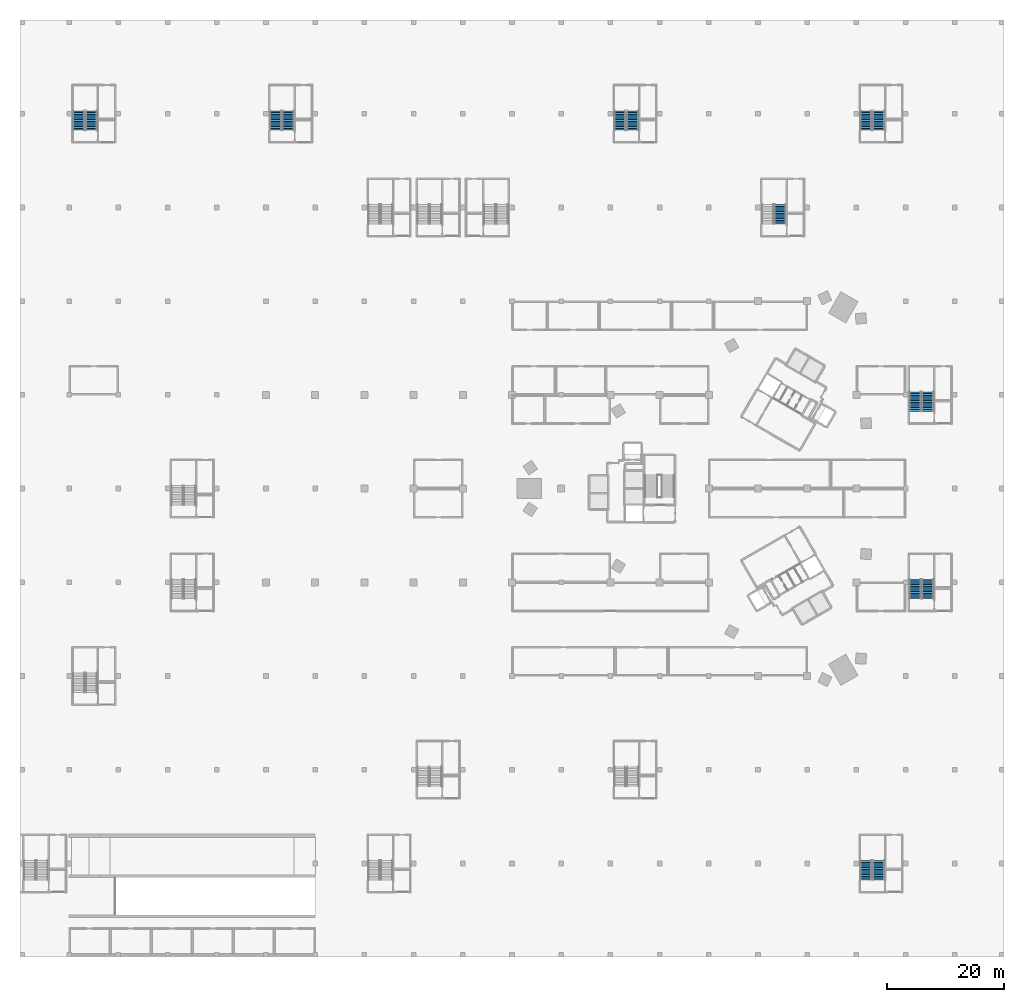
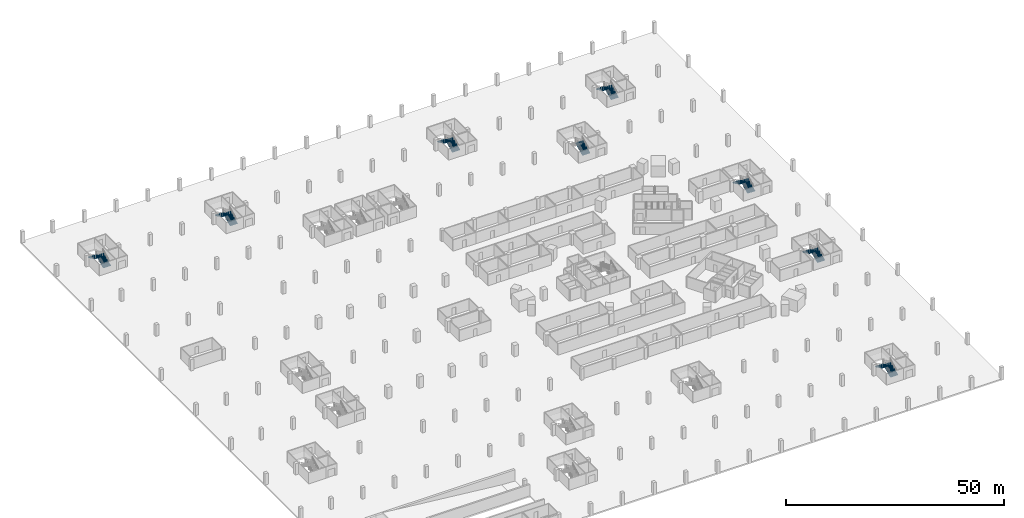
# One storey, part 18 of 37: 15 stair flights, 8 elements without a shape of their own.
"""IFC4 building model written with IfcOpenShell, lengths in metres."""

from ifc_helpers import new_model, si_unit, direction, frame, origin, place, context, subcontext, project, spatial, polyline, outline, extrude, material, layer, layer_set, type_object, element, aggregate, save


model = new_model("IFC4")

# Units and contexts
model_context = context("Model", 3, precision=1e-05, world=origin(), true_north=direction((0.0, 1.0)))
body_context = subcontext(model_context, "Body", "Model", "MODEL_VIEW")
ifc_project = project(units=[si_unit("LENGTHUNIT", "METRE"), si_unit("AREAUNIT", "SQUARE_METRE"), si_unit("VOLUMEUNIT", "CUBIC_METRE"), si_unit("PLANEANGLEUNIT", "RADIAN"), si_unit("MASSUNIT", "GRAM", prefix="KILO")], contexts=[model_context])

# Site, building, storey
site_placement = place(None, origin())
site = spatial("IfcSite", under=ifc_project, at=site_placement, CompositionType="ELEMENT")
building_placement = place(site_placement, origin())
building = spatial("IfcBuilding", under=site, at=building_placement, Name="Tamra Quay Hotel Tower", CompositionType="ELEMENT")
storey_placement = place(building_placement, frame((0.0, 0.0, -3.60009765625)))
storey = spatial("IfcBuildingStorey", under=building, at=storey_placement, Name="B1", CompositionType="ELEMENT", Elevation=-3.60009765625)

# Stair, stair flights
ifc_material_1 = material(Name="Basement exit stair")
stair_type = type_object("IfcStairType", Name="Basement exit stair", PredefinedType="HALF_TURN_STAIR", material=ifc_material_1)
stair_1_placement = place(storey_placement, origin())
stair_1 = element("IfcStair", 1, at=stair_1_placement, inside=storey, type_object=stair_type, Name="B1 Basement Exit Stair BS2", PredefinedType="HALF_TURN_STAIR")
ifc_material_2 = material(Name="Concrete M60", Category="concrete")
ifc_layer = layer(ifc_material_2, 0.14990234375)
ifc_layer_set = layer_set([ifc_layer], Name="Concrete M60 basement stair flight 150")
stair_flight_type = type_object("IfcStairFlightType", Name="Concrete M60 basement stair flight 150", PredefinedType="STRAIGHT", material=ifc_layer_set)
stair_flight_1_placement = place(storey_placement, frame((-110.5, 61.199951171875, 0.0), z_axis=(0.0, 0.0, 1.0), x_axis=(0.0, 1.0, 0.0)))
stair_flight_1 = element("IfcStairFlight", 2, at=stair_flight_1_placement, type_object=stair_flight_type, Name="BS2 flight 1", NumberOfRisers=12, NumberOfTreads=11, PredefinedType="STRAIGHT", RiserHeight=0.15, TreadLength=0.3, context=body_context, shape_type="SweptSolid", body=[
    extrude(outline(polyline([(0.0, 0.0), (0.0, 0.14990234375), (0.300048828125, 0.14990234375), (0.300048828125, 0.300048828125), (0.60009765625, 0.300048828125), (0.60009765625, 0.449951171875), (0.89990234375, 0.449951171875), (0.89990234375, 0.60009765625), (1.199951171875, 0.60009765625), (1.199951171875, 0.75), (1.5, 0.75), (1.5, 0.89990234375), (1.800048828125, 0.89990234375), (1.800048828125, 1.050048828125), (2.10009765625, 1.050048828125), (2.10009765625, 1.199951171875), (2.39990234375, 1.199951171875), (2.39990234375, 1.35009765625), (2.699951171875, 1.35009765625), (2.699951171875, 1.5), (3.0, 1.5), (3.0, 1.64990234375), (3.300048828125, 1.64990234375), (3.300048828125, 1.800048828125), (3.300048828125, 1.482421875), (0.335205078125, 0.0), (0.0, 0.0)])), frame((0.0, 1.0, 0.0), z_axis=(0.0, -1.0, 0.0), x_axis=(1.0, 0.0, 0.0)), (0.0, 0.0, 1.0), 2.0),
])
stair_flight_2_placement = place(storey_placement, frame((-112.64990234375, 64.5, 1.800048828125), z_axis=(0.0, 0.0, 1.0), x_axis=(0.0, -1.0, 0.0)))
stair_flight_2 = element("IfcStairFlight", 3, at=stair_flight_2_placement, type_object=stair_flight_type, Name="BS2 flight 2", NumberOfRisers=12, NumberOfTreads=11, PredefinedType="STRAIGHT", RiserHeight=0.15, TreadLength=0.3, context=body_context, shape_type="SweptSolid", body=[
    extrude(outline(polyline([(0.0, 0.0), (0.0, 0.14990234375), (0.300048828125, 0.14990234375), (0.300048828125, 0.300048828125), (0.60009765625, 0.300048828125), (0.60009765625, 0.449951171875), (0.89990234375, 0.449951171875), (0.89990234375, 0.60009765625), (1.199951171875, 0.60009765625), (1.199951171875, 0.75), (1.5, 0.75), (1.5, 0.89990234375), (1.800048828125, 0.89990234375), (1.800048828125, 1.050048828125), (2.10009765625, 1.050048828125), (2.10009765625, 1.199951171875), (2.39990234375, 1.199951171875), (2.39990234375, 1.35009765625), (2.699951171875, 1.35009765625), (2.699951171875, 1.5), (3.0, 1.5), (3.0, 1.64990234375), (3.300048828125, 1.64990234375), (3.300048828125, 1.800048828125), (3.300048828125, 1.482421875), (0.335205078125, 0.0), (0.0, 0.0)])), frame((0.0, 1.0, 0.0), z_axis=(0.0, -1.0, 0.0), x_axis=(1.0, 0.0, 0.0)), (0.0, 0.0, 1.0), 2.0),
])
aggregate(stair_1, [stair_flight_1, stair_flight_2])

stair_2_placement = place(storey_placement, origin())
stair_2 = element("IfcStair", 4, at=stair_2_placement, inside=storey, type_object=stair_type, Name="B1 Basement Exit Stair BS5", PredefinedType="HALF_TURN_STAIR")
stair_flight_3_placement = place(storey_placement, frame((-76.89990234375, 61.199951171875, 0.0), z_axis=(0.0, 0.0, 1.0), x_axis=(0.0, 1.0, 0.0)))
stair_flight_3 = element("IfcStairFlight", 5, at=stair_flight_3_placement, type_object=stair_flight_type, Name="BS5 flight 1", NumberOfRisers=12, NumberOfTreads=11, PredefinedType="STRAIGHT", RiserHeight=0.15, TreadLength=0.3, context=body_context, shape_type="SweptSolid", body=[
    extrude(outline(polyline([(0.0, 0.0), (0.0, 0.14990234375), (0.300048828125, 0.14990234375), (0.300048828125, 0.300048828125), (0.60009765625, 0.300048828125), (0.60009765625, 0.449951171875), (0.89990234375, 0.449951171875), (0.89990234375, 0.60009765625), (1.199951171875, 0.60009765625), (1.199951171875, 0.75), (1.5, 0.75), (1.5, 0.89990234375), (1.800048828125, 0.89990234375), (1.800048828125, 1.050048828125), (2.10009765625, 1.050048828125), (2.10009765625, 1.199951171875), (2.39990234375, 1.199951171875), (2.39990234375, 1.35009765625), (2.699951171875, 1.35009765625), (2.699951171875, 1.5), (3.0, 1.5), (3.0, 1.64990234375), (3.300048828125, 1.64990234375), (3.300048828125, 1.800048828125), (3.300048828125, 1.482421875), (0.335205078125, 0.0), (0.0, 0.0)])), frame((0.0, 1.0, 0.0), z_axis=(0.0, -1.0, 0.0), x_axis=(1.0, 0.0, 0.0)), (0.0, 0.0, 1.0), 2.0),
])
stair_flight_4_placement = place(storey_placement, frame((-79.050048828125, 64.5, 1.800048828125), z_axis=(0.0, 0.0, 1.0), x_axis=(0.0, -1.0, 0.0)))
stair_flight_4 = element("IfcStairFlight", 6, at=stair_flight_4_placement, type_object=stair_flight_type, Name="BS5 flight 2", NumberOfRisers=12, NumberOfTreads=11, PredefinedType="STRAIGHT", RiserHeight=0.15, TreadLength=0.3, context=body_context, shape_type="SweptSolid", body=[
    extrude(outline(polyline([(0.0, 0.0), (0.0, 0.14990234375), (0.300048828125, 0.14990234375), (0.300048828125, 0.300048828125), (0.60009765625, 0.300048828125), (0.60009765625, 0.449951171875), (0.89990234375, 0.449951171875), (0.89990234375, 0.60009765625), (1.199951171875, 0.60009765625), (1.199951171875, 0.75), (1.5, 0.75), (1.5, 0.89990234375), (1.800048828125, 0.89990234375), (1.800048828125, 1.050048828125), (2.10009765625, 1.050048828125), (2.10009765625, 1.199951171875), (2.39990234375, 1.199951171875), (2.39990234375, 1.35009765625), (2.699951171875, 1.35009765625), (2.699951171875, 1.5), (3.0, 1.5), (3.0, 1.64990234375), (3.300048828125, 1.64990234375), (3.300048828125, 1.800048828125), (3.300048828125, 1.482421875), (0.335205078125, 0.0), (0.0, 0.0)])), frame((0.0, 1.0, 0.0), z_axis=(0.0, -1.0, 0.0), x_axis=(1.0, 0.0, 0.0)), (0.0, 0.0, 1.0), 2.0),
])
aggregate(stair_2, [stair_flight_3, stair_flight_4])

stair_3_placement = place(storey_placement, origin())
stair_3 = element("IfcStair", 7, at=stair_3_placement, inside=storey, type_object=stair_type, Name="B1 Basement Exit Stair BS11", PredefinedType="HALF_TURN_STAIR")
stair_flight_5_placement = place(storey_placement, frame((-18.10009765625, 61.199951171875, 0.0), z_axis=(0.0, 0.0, 1.0), x_axis=(0.0, 1.0, 0.0)))
stair_flight_5 = element("IfcStairFlight", 8, at=stair_flight_5_placement, type_object=stair_flight_type, Name="BS11 flight 1", NumberOfRisers=12, NumberOfTreads=11, PredefinedType="STRAIGHT", RiserHeight=0.15, TreadLength=0.3, context=body_context, shape_type="SweptSolid", body=[
    extrude(outline(polyline([(0.0, 0.0), (0.0, 0.14990234375), (0.300048828125, 0.14990234375), (0.300048828125, 0.300048828125), (0.60009765625, 0.300048828125), (0.60009765625, 0.449951171875), (0.89990234375, 0.449951171875), (0.89990234375, 0.60009765625), (1.199951171875, 0.60009765625), (1.199951171875, 0.75), (1.5, 0.75), (1.5, 0.89990234375), (1.800048828125, 0.89990234375), (1.800048828125, 1.050048828125), (2.10009765625, 1.050048828125), (2.10009765625, 1.199951171875), (2.39990234375, 1.199951171875), (2.39990234375, 1.35009765625), (2.699951171875, 1.35009765625), (2.699951171875, 1.5), (3.0, 1.5), (3.0, 1.64990234375), (3.300048828125, 1.64990234375), (3.300048828125, 1.800048828125), (3.300048828125, 1.482421875), (0.335205078125, 0.0), (0.0, 0.0)])), frame((0.0, 1.0, 0.0), z_axis=(0.0, -1.0, 0.0), x_axis=(1.0, 0.0, 0.0)), (0.0, 0.0, 1.0), 2.0),
])
stair_flight_6_placement = place(storey_placement, frame((-20.25, 64.5, 1.800048828125), z_axis=(0.0, 0.0, 1.0), x_axis=(0.0, -1.0, 0.0)))
stair_flight_6 = element("IfcStairFlight", 9, at=stair_flight_6_placement, type_object=stair_flight_type, Name="BS11 flight 2", NumberOfRisers=12, NumberOfTreads=11, PredefinedType="STRAIGHT", RiserHeight=0.15, TreadLength=0.3, context=body_context, shape_type="SweptSolid", body=[
    extrude(outline(polyline([(0.0, 0.0), (0.0, 0.14990234375), (0.300048828125, 0.14990234375), (0.300048828125, 0.300048828125), (0.60009765625, 0.300048828125), (0.60009765625, 0.449951171875), (0.89990234375, 0.449951171875), (0.89990234375, 0.60009765625), (1.199951171875, 0.60009765625), (1.199951171875, 0.75), (1.5, 0.75), (1.5, 0.89990234375), (1.800048828125, 0.89990234375), (1.800048828125, 1.050048828125), (2.10009765625, 1.050048828125), (2.10009765625, 1.199951171875), (2.39990234375, 1.199951171875), (2.39990234375, 1.35009765625), (2.699951171875, 1.35009765625), (2.699951171875, 1.5), (3.0, 1.5), (3.0, 1.64990234375), (3.300048828125, 1.64990234375), (3.300048828125, 1.800048828125), (3.300048828125, 1.482421875), (0.335205078125, 0.0), (0.0, 0.0)])), frame((0.0, 1.0, 0.0), z_axis=(0.0, -1.0, 0.0), x_axis=(1.0, 0.0, 0.0)), (0.0, 0.0, 1.0), 2.0),
])
aggregate(stair_3, [stair_flight_5, stair_flight_6])

# Stair, stair flight
stair_4_placement = place(storey_placement, origin())
stair_4 = element("IfcStair", 10, at=stair_4_placement, inside=storey, type_object=stair_type, Name="B1 Basement Exit Stair BS12", PredefinedType="HALF_TURN_STAIR")
stair_flight_7_placement = place(storey_placement, frame((7.10009765625, 45.199951171875, 0.0), z_axis=(0.0, 0.0, 1.0), x_axis=(0.0, 1.0, 0.0)))
stair_flight_7 = element("IfcStairFlight", 11, at=stair_flight_7_placement, type_object=stair_flight_type, Name="BS12 flight 1", NumberOfRisers=12, NumberOfTreads=11, PredefinedType="STRAIGHT", RiserHeight=0.15, TreadLength=0.3, context=body_context, shape_type="SweptSolid", body=[
    extrude(outline(polyline([(0.0, 0.0), (0.0, 0.14990234375), (0.300048828125, 0.14990234375), (0.300048828125, 0.300048828125), (0.60009765625, 0.300048828125), (0.60009765625, 0.449951171875), (0.89990234375, 0.449951171875), (0.89990234375, 0.60009765625), (1.199951171875, 0.60009765625), (1.199951171875, 0.75), (1.5, 0.75), (1.5, 0.89990234375), (1.800048828125, 0.89990234375), (1.800048828125, 1.050048828125), (2.10009765625, 1.050048828125), (2.10009765625, 1.199951171875), (2.39990234375, 1.199951171875), (2.39990234375, 1.35009765625), (2.699951171875, 1.35009765625), (2.699951171875, 1.5), (3.0, 1.5), (3.0, 1.64990234375), (3.300048828125, 1.64990234375), (3.300048828125, 1.800048828125), (3.300048828125, 1.482421875), (0.335205078125, 0.0), (0.0, 0.0)])), frame((0.0, 1.0, 0.0), z_axis=(0.0, -1.0, 0.0), x_axis=(1.0, 0.0, 0.0)), (0.0, 0.0, 1.0), 2.0),
])
aggregate(stair_4, [stair_flight_7])

# Stair, stair flights
stair_5_placement = place(storey_placement, origin())
stair_5 = element("IfcStair", 12, at=stair_5_placement, inside=storey, type_object=stair_type, Name="B1 Basement Exit Stair BS13", PredefinedType="HALF_TURN_STAIR")
stair_flight_8_placement = place(storey_placement, frame((23.89990234375, -66.800048828125, 0.0), z_axis=(0.0, 0.0, 1.0), x_axis=(0.0, 1.0, 0.0)))
stair_flight_8 = element("IfcStairFlight", 13, at=stair_flight_8_placement, type_object=stair_flight_type, Name="BS13 flight 1", NumberOfRisers=12, NumberOfTreads=11, PredefinedType="STRAIGHT", RiserHeight=0.15, TreadLength=0.3, context=body_context, shape_type="SweptSolid", body=[
    extrude(outline(polyline([(0.0, 0.0), (0.0, 0.14990234375), (0.300048828125, 0.14990234375), (0.300048828125, 0.300048828125), (0.60009765625, 0.300048828125), (0.60009765625, 0.449951171875), (0.89990234375, 0.449951171875), (0.89990234375, 0.60009765625), (1.199951171875, 0.60009765625), (1.199951171875, 0.75), (1.5, 0.75), (1.5, 0.89990234375), (1.800048828125, 0.89990234375), (1.800048828125, 1.050048828125), (2.10009765625, 1.050048828125), (2.10009765625, 1.199951171875), (2.39990234375, 1.199951171875), (2.39990234375, 1.35009765625), (2.699951171875, 1.35009765625), (2.699951171875, 1.5), (3.0, 1.5), (3.0, 1.64990234375), (3.300048828125, 1.64990234375), (3.300048828125, 1.800048828125), (3.300048828125, 1.482421875), (0.335205078125, 0.0), (0.0, 0.0)])), frame((0.0, 1.0, 0.0), z_axis=(0.0, -1.0, 0.0), x_axis=(1.0, 0.0, 0.0)), (0.0, 0.0, 1.0), 2.0),
])
stair_flight_9_placement = place(storey_placement, frame((21.75, -63.5, 1.800048828125), z_axis=(0.0, 0.0, 1.0), x_axis=(0.0, -1.0, 0.0)))
stair_flight_9 = element("IfcStairFlight", 14, at=stair_flight_9_placement, type_object=stair_flight_type, Name="BS13 flight 2", NumberOfRisers=12, NumberOfTreads=11, PredefinedType="STRAIGHT", RiserHeight=0.15, TreadLength=0.3, context=body_context, shape_type="SweptSolid", body=[
    extrude(outline(polyline([(0.0, 0.0), (0.0, 0.14990234375), (0.300048828125, 0.14990234375), (0.300048828125, 0.300048828125), (0.60009765625, 0.300048828125), (0.60009765625, 0.449951171875), (0.89990234375, 0.449951171875), (0.89990234375, 0.60009765625), (1.199951171875, 0.60009765625), (1.199951171875, 0.75), (1.5, 0.75), (1.5, 0.89990234375), (1.800048828125, 0.89990234375), (1.800048828125, 1.050048828125), (2.10009765625, 1.050048828125), (2.10009765625, 1.199951171875), (2.39990234375, 1.199951171875), (2.39990234375, 1.35009765625), (2.699951171875, 1.35009765625), (2.699951171875, 1.5), (3.0, 1.5), (3.0, 1.64990234375), (3.300048828125, 1.64990234375), (3.300048828125, 1.800048828125), (3.300048828125, 1.482421875), (0.335205078125, 0.0), (0.0, 0.0)])), frame((0.0, 1.0, 0.0), z_axis=(0.0, -1.0, 0.0), x_axis=(1.0, 0.0, 0.0)), (0.0, 0.0, 1.0), 2.0),
])
aggregate(stair_5, [stair_flight_8, stair_flight_9])

stair_6_placement = place(storey_placement, origin())
stair_6 = element("IfcStair", 15, at=stair_6_placement, inside=storey, type_object=stair_type, Name="B1 Basement Exit Stair BS14", PredefinedType="HALF_TURN_STAIR")
stair_flight_10_placement = place(storey_placement, frame((23.89990234375, 61.199951171875, 0.0), z_axis=(0.0, 0.0, 1.0), x_axis=(0.0, 1.0, 0.0)))
stair_flight_10 = element("IfcStairFlight", 16, at=stair_flight_10_placement, type_object=stair_flight_type, Name="BS14 flight 1", NumberOfRisers=12, NumberOfTreads=11, PredefinedType="STRAIGHT", RiserHeight=0.15, TreadLength=0.3, context=body_context, shape_type="SweptSolid", body=[
    extrude(outline(polyline([(0.0, 0.0), (0.0, 0.14990234375), (0.300048828125, 0.14990234375), (0.300048828125, 0.300048828125), (0.60009765625, 0.300048828125), (0.60009765625, 0.449951171875), (0.89990234375, 0.449951171875), (0.89990234375, 0.60009765625), (1.199951171875, 0.60009765625), (1.199951171875, 0.75), (1.5, 0.75), (1.5, 0.89990234375), (1.800048828125, 0.89990234375), (1.800048828125, 1.050048828125), (2.10009765625, 1.050048828125), (2.10009765625, 1.199951171875), (2.39990234375, 1.199951171875), (2.39990234375, 1.35009765625), (2.699951171875, 1.35009765625), (2.699951171875, 1.5), (3.0, 1.5), (3.0, 1.64990234375), (3.300048828125, 1.64990234375), (3.300048828125, 1.800048828125), (3.300048828125, 1.482421875), (0.335205078125, 0.0), (0.0, 0.0)])), frame((0.0, 1.0, 0.0), z_axis=(0.0, -1.0, 0.0), x_axis=(1.0, 0.0, 0.0)), (0.0, 0.0, 1.0), 2.0),
])
stair_flight_11_placement = place(storey_placement, frame((21.75, 64.5, 1.800048828125), z_axis=(0.0, 0.0, 1.0), x_axis=(0.0, -1.0, 0.0)))
stair_flight_11 = element("IfcStairFlight", 17, at=stair_flight_11_placement, type_object=stair_flight_type, Name="BS14 flight 2", NumberOfRisers=12, NumberOfTreads=11, PredefinedType="STRAIGHT", RiserHeight=0.15, TreadLength=0.3, context=body_context, shape_type="SweptSolid", body=[
    extrude(outline(polyline([(0.0, 0.0), (0.0, 0.14990234375), (0.300048828125, 0.14990234375), (0.300048828125, 0.300048828125), (0.60009765625, 0.300048828125), (0.60009765625, 0.449951171875), (0.89990234375, 0.449951171875), (0.89990234375, 0.60009765625), (1.199951171875, 0.60009765625), (1.199951171875, 0.75), (1.5, 0.75), (1.5, 0.89990234375), (1.800048828125, 0.89990234375), (1.800048828125, 1.050048828125), (2.10009765625, 1.050048828125), (2.10009765625, 1.199951171875), (2.39990234375, 1.199951171875), (2.39990234375, 1.35009765625), (2.699951171875, 1.35009765625), (2.699951171875, 1.5), (3.0, 1.5), (3.0, 1.64990234375), (3.300048828125, 1.64990234375), (3.300048828125, 1.800048828125), (3.300048828125, 1.482421875), (0.335205078125, 0.0), (0.0, 0.0)])), frame((0.0, 1.0, 0.0), z_axis=(0.0, -1.0, 0.0), x_axis=(1.0, 0.0, 0.0)), (0.0, 0.0, 1.0), 2.0),
])
aggregate(stair_6, [stair_flight_10, stair_flight_11])

stair_7_placement = place(storey_placement, origin())
stair_7 = element("IfcStair", 18, at=stair_7_placement, inside=storey, type_object=stair_type, Name="B1 Basement Exit Stair BS15", PredefinedType="HALF_TURN_STAIR")
stair_flight_12_placement = place(storey_placement, frame((32.300048828125, -18.800048828125, 0.0), z_axis=(0.0, 0.0, 1.0), x_axis=(0.0, 1.0, 0.0)))
stair_flight_12 = element("IfcStairFlight", 19, at=stair_flight_12_placement, type_object=stair_flight_type, Name="BS15 flight 1", NumberOfRisers=12, NumberOfTreads=11, PredefinedType="STRAIGHT", RiserHeight=0.15, TreadLength=0.3, context=body_context, shape_type="SweptSolid", body=[
    extrude(outline(polyline([(0.0, 0.0), (0.0, 0.14990234375), (0.300048828125, 0.14990234375), (0.300048828125, 0.300048828125), (0.60009765625, 0.300048828125), (0.60009765625, 0.449951171875), (0.89990234375, 0.449951171875), (0.89990234375, 0.60009765625), (1.199951171875, 0.60009765625), (1.199951171875, 0.75), (1.5, 0.75), (1.5, 0.89990234375), (1.800048828125, 0.89990234375), (1.800048828125, 1.050048828125), (2.10009765625, 1.050048828125), (2.10009765625, 1.199951171875), (2.39990234375, 1.199951171875), (2.39990234375, 1.35009765625), (2.699951171875, 1.35009765625), (2.699951171875, 1.5), (3.0, 1.5), (3.0, 1.64990234375), (3.300048828125, 1.64990234375), (3.300048828125, 1.800048828125), (3.300048828125, 1.482421875), (0.335205078125, 0.0), (0.0, 0.0)])), frame((0.0, 1.0, 0.0), z_axis=(0.0, -1.0, 0.0), x_axis=(1.0, 0.0, 0.0)), (0.0, 0.0, 1.0), 2.0),
])
stair_flight_13_placement = place(storey_placement, frame((30.14990234375, -15.5, 1.800048828125), z_axis=(0.0, 0.0, 1.0), x_axis=(0.0, -1.0, 0.0)))
stair_flight_13 = element("IfcStairFlight", 20, at=stair_flight_13_placement, type_object=stair_flight_type, Name="BS15 flight 2", NumberOfRisers=12, NumberOfTreads=11, PredefinedType="STRAIGHT", RiserHeight=0.15, TreadLength=0.3, context=body_context, shape_type="SweptSolid", body=[
    extrude(outline(polyline([(0.0, 0.0), (0.0, 0.14990234375), (0.300048828125, 0.14990234375), (0.300048828125, 0.300048828125), (0.60009765625, 0.300048828125), (0.60009765625, 0.449951171875), (0.89990234375, 0.449951171875), (0.89990234375, 0.60009765625), (1.199951171875, 0.60009765625), (1.199951171875, 0.75), (1.5, 0.75), (1.5, 0.89990234375), (1.800048828125, 0.89990234375), (1.800048828125, 1.050048828125), (2.10009765625, 1.050048828125), (2.10009765625, 1.199951171875), (2.39990234375, 1.199951171875), (2.39990234375, 1.35009765625), (2.699951171875, 1.35009765625), (2.699951171875, 1.5), (3.0, 1.5), (3.0, 1.64990234375), (3.300048828125, 1.64990234375), (3.300048828125, 1.800048828125), (3.300048828125, 1.482421875), (0.335205078125, 0.0), (0.0, 0.0)])), frame((0.0, 1.0, 0.0), z_axis=(0.0, -1.0, 0.0), x_axis=(1.0, 0.0, 0.0)), (0.0, 0.0, 1.0), 2.0),
])
aggregate(stair_7, [stair_flight_12, stair_flight_13])

stair_8_placement = place(storey_placement, origin())
stair_8 = element("IfcStair", 21, at=stair_8_placement, inside=storey, type_object=stair_type, Name="B1 Basement Exit Stair BS16", PredefinedType="HALF_TURN_STAIR")
stair_flight_14_placement = place(storey_placement, frame((32.300048828125, 13.199951171875, 0.0), z_axis=(0.0, 0.0, 1.0), x_axis=(0.0, 1.0, 0.0)))
stair_flight_14 = element("IfcStairFlight", 22, at=stair_flight_14_placement, type_object=stair_flight_type, Name="BS16 flight 1", NumberOfRisers=12, NumberOfTreads=11, PredefinedType="STRAIGHT", RiserHeight=0.15, TreadLength=0.3, context=body_context, shape_type="SweptSolid", body=[
    extrude(outline(polyline([(0.0, 0.0), (0.0, 0.14990234375), (0.300048828125, 0.14990234375), (0.300048828125, 0.300048828125), (0.60009765625, 0.300048828125), (0.60009765625, 0.449951171875), (0.89990234375, 0.449951171875), (0.89990234375, 0.60009765625), (1.199951171875, 0.60009765625), (1.199951171875, 0.75), (1.5, 0.75), (1.5, 0.89990234375), (1.800048828125, 0.89990234375), (1.800048828125, 1.050048828125), (2.10009765625, 1.050048828125), (2.10009765625, 1.199951171875), (2.39990234375, 1.199951171875), (2.39990234375, 1.35009765625), (2.699951171875, 1.35009765625), (2.699951171875, 1.5), (3.0, 1.5), (3.0, 1.64990234375), (3.300048828125, 1.64990234375), (3.300048828125, 1.800048828125), (3.300048828125, 1.482421875), (0.335205078125, 0.0), (0.0, 0.0)])), frame((0.0, 1.0, 0.0), z_axis=(0.0, -1.0, 0.0), x_axis=(1.0, 0.0, 0.0)), (0.0, 0.0, 1.0), 2.0),
])
stair_flight_15_placement = place(storey_placement, frame((30.14990234375, 16.5, 1.800048828125), z_axis=(0.0, 0.0, 1.0), x_axis=(0.0, -1.0, 0.0)))
stair_flight_15 = element("IfcStairFlight", 23, at=stair_flight_15_placement, type_object=stair_flight_type, Name="BS16 flight 2", NumberOfRisers=12, NumberOfTreads=11, PredefinedType="STRAIGHT", RiserHeight=0.15, TreadLength=0.3, context=body_context, shape_type="SweptSolid", body=[
    extrude(outline(polyline([(0.0, 0.0), (0.0, 0.14990234375), (0.300048828125, 0.14990234375), (0.300048828125, 0.300048828125), (0.60009765625, 0.300048828125), (0.60009765625, 0.449951171875), (0.89990234375, 0.449951171875), (0.89990234375, 0.60009765625), (1.199951171875, 0.60009765625), (1.199951171875, 0.75), (1.5, 0.75), (1.5, 0.89990234375), (1.800048828125, 0.89990234375), (1.800048828125, 1.050048828125), (2.10009765625, 1.050048828125), (2.10009765625, 1.199951171875), (2.39990234375, 1.199951171875), (2.39990234375, 1.35009765625), (2.699951171875, 1.35009765625), (2.699951171875, 1.5), (3.0, 1.5), (3.0, 1.64990234375), (3.300048828125, 1.64990234375), (3.300048828125, 1.800048828125), (3.300048828125, 1.482421875), (0.335205078125, 0.0), (0.0, 0.0)])), frame((0.0, 1.0, 0.0), z_axis=(0.0, -1.0, 0.0), x_axis=(1.0, 0.0, 0.0)), (0.0, 0.0, 1.0), 2.0),
])
aggregate(stair_8, [stair_flight_14, stair_flight_15])

save(model, "model.ifc")
